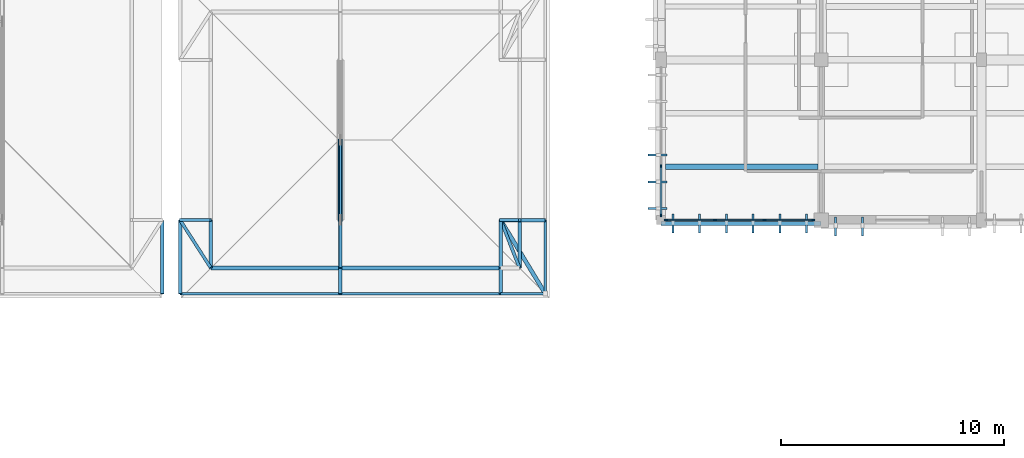
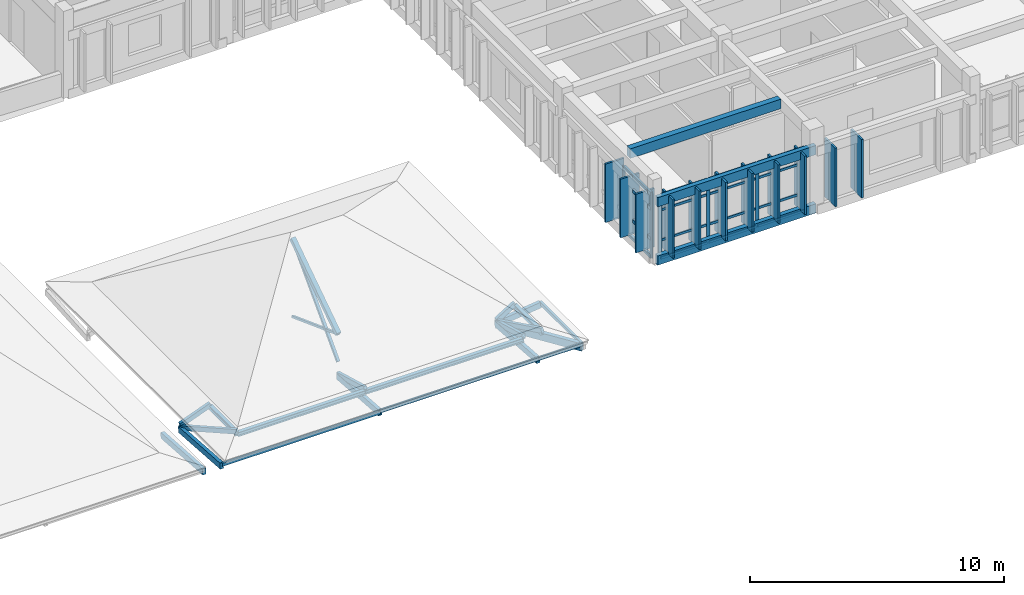
# One storey, part 4 of 51: 56 members, 3 beams, 2 elements without a shape of their own.
"""IFC4 building model written with IfcOpenShell, lengths in metres."""

from ifc_helpers import new_model, si_unit, direction, frame, origin, origin_2d, place, context, subcontext, project, spatial, rectangle, hollow_rectangle, i_section, extrude, material, material_profile, profile_set, type_object, element, aggregate, save


model = new_model("IFC4")

# Units and contexts
model_context = context("Model", 3, precision=1e-05, world=origin(), true_north=direction((0.0, 1.0)))
body_context = subcontext(model_context, "Body", "Model", "MODEL_VIEW")
ifc_project = project(units=[si_unit("LENGTHUNIT", "METRE"), si_unit("AREAUNIT", "SQUARE_METRE"), si_unit("VOLUMEUNIT", "CUBIC_METRE"), si_unit("PLANEANGLEUNIT", "RADIAN"), si_unit("MASSUNIT", "GRAM", prefix="KILO")], contexts=[model_context])

# Site, building, storey
site_placement = place(None, origin())
site = spatial("IfcSite", under=ifc_project, at=site_placement, CompositionType="ELEMENT")
building_placement = place(site_placement, origin())
building = spatial("IfcBuilding", under=site, at=building_placement, Name="Steenspoor Specialist Clinic", CompositionType="ELEMENT")
storey_placement = place(building_placement, frame((0.0, 0.0, 17.39990234375)))
storey = spatial("IfcBuildingStorey", under=building, at=storey_placement, Name="L04", CompositionType="ELEMENT", Elevation=17.39990234375)

# Beams
ifc_material_1 = material(Name="Glulam GL28h", Category="wood")
ifc_material_profile_1 = material_profile(ifc_material_1, rectangle(XDim=0.199951171875, YDim=0.43994140625, at=origin_2d()), Name="GL28H-200X440")
ifc_profile_set_1 = profile_set([ifc_material_profile_1], Name="Glulam GL28h")
beam_type_1 = type_object("IfcBeamType", Name="BM-GL-200X440", PredefinedType="BEAM", material=ifc_profile_set_1)
for number, where, z_axis, x_axis, name in (
    (1, (81.199951171875, 72.199951171875, 0.14013671875), (-1.0, 0.0, 0.0), (0.0, -1.0, 0.0), "Timber Screen Tie Rail V4 L04 15"),
    (2, (81.199951171875, 72.199951171875, 2.9501953125), (-1.0, 0.0, 0.0), (0.0, -1.0, 0.0), "Timber Screen Tie Rail V4 L04 16"),
):
    element("IfcBeam", number, at=place(storey_placement, frame(where, z_axis=z_axis, x_axis=x_axis)), inside=storey, type_object=beam_type_1, Name=name, PredefinedType="BEAM", context=body_context, shape_type="SweptSolid", body=[
        extrude(rectangle(XDim=0.199951171875, YDim=0.43994140625, at=origin_2d()), origin(), (0.0, 0.0, 1.0), 7.199951171875),
    ])

# Curtain wall, members
ifc_material_2 = material(Name="Thermally broken aluminium and low-emissivity glass", Category="aluminium")
curtain_wall_type_1 = type_object("IfcCurtainWallType", Name="CW-L00-660X415", PredefinedType="USERDEFINED", material=ifc_material_2)
curtain_wall_1_placement = place(storey_placement, origin())
curtain_wall_1 = element("IfcCurtainWall", 3, at=curtain_wall_1_placement, inside=storey, type_object=curtain_wall_type_1, Name="Unitised Curtain Wall CW-V4-L04-124", ObjectType="UNITISED GLAZING", PredefinedType="USERDEFINED")
ifc_material_3 = material(Name="Thermally broken aluminium 6063-T6", Category="aluminium")
ifc_material_profile_2 = material_profile(ifc_material_3, rectangle(XDim=0.06005859375, YDim=0.135009765625, at=origin_2d()), Name="CWM-60X135")
ifc_profile_set_2 = profile_set([ifc_material_profile_2], Name="Thermally broken aluminium 6063-T6")
member_type_1 = type_object("IfcMemberType", Name="CW-MULL-60X135", PredefinedType="MULLION", material=ifc_profile_set_2)
member_1_placement = place(storey_placement, frame((74.0, 72.580078125, 0.0), z_axis=(0.0, 0.0, 1.0), x_axis=(-1.0, 0.0, 0.0)))
member_1 = element("IfcMember", 4, at=member_1_placement, type_object=member_type_1, Name="CW-04 mullion 1", PredefinedType="MULLION", context=body_context, shape_type="SweptSolid", body=[
    extrude(rectangle(XDim=0.06005859375, YDim=0.135009765625, at=origin_2d()), origin(), (0.0, 0.0, 1.0), 3.10009765625),
])
member_2_placement = place(storey_placement, frame((74.0, 74.7666015625, 0.0), z_axis=(0.0, 0.0, 1.0), x_axis=(-1.0, 0.0, 0.0)))
member_2 = element("IfcMember", 5, at=member_2_placement, type_object=member_type_1, Name="CW-04 mullion 2", PredefinedType="MULLION", context=body_context, shape_type="SweptSolid", body=[
    extrude(rectangle(XDim=0.06005859375, YDim=0.135009765625, at=origin_2d()), origin(), (0.0, 0.0, 1.0), 3.10009765625),
])

curtain_wall_type_2 = type_object("IfcCurtainWallType", Name="CW-HALL-480X820", PredefinedType="USERDEFINED", material=ifc_material_2)
curtain_wall_2_placement = place(storey_placement, origin())
curtain_wall_2 = element("IfcCurtainWall", 6, at=curtain_wall_2_placement, inside=storey, type_object=curtain_wall_type_2, Name="Unitised Curtain Wall CW-V4-L04-123", ObjectType="UNITISED GLAZING", PredefinedType="USERDEFINED")
ifc_material_profile_3 = material_profile(ifc_material_3, rectangle(XDim=0.06494140625, YDim=0.14990234375, at=origin_2d()), Name="CWM-65X150")
ifc_profile_set_3 = profile_set([ifc_material_profile_3], Name="Thermally broken aluminium 6063-T6")
member_type_2 = type_object("IfcMemberType", Name="CW-MULL-65X150", PredefinedType="MULLION", material=ifc_profile_set_3)
member_3_placement = place(storey_placement, frame((80.842529296875, 72.35009765625, 0.0), z_axis=(0.0, 0.0, 1.0), x_axis=(0.0, -1.0, 0.0)))
member_3 = element("IfcMember", 7, at=member_3_placement, type_object=member_type_2, Name="CW-03 mullion 1", PredefinedType="MULLION", context=body_context, shape_type="SweptSolid", body=[
    extrude(rectangle(XDim=0.06494140625, YDim=0.14990234375, at=origin_2d()), origin(), (0.0, 0.0, 1.0), 3.10009765625),
])
member_4_placement = place(storey_placement, frame((78.64990234375, 72.35009765625, 0.0), z_axis=(0.0, 0.0, 1.0), x_axis=(0.0, -1.0, 0.0)))
member_4 = element("IfcMember", 8, at=member_4_placement, type_object=member_type_2, Name="CW-03 mullion 2", PredefinedType="MULLION", context=body_context, shape_type="SweptSolid", body=[
    extrude(rectangle(XDim=0.06494140625, YDim=0.14990234375, at=origin_2d()), origin(), (0.0, 0.0, 1.0), 3.10009765625),
])
member_5_placement = place(storey_placement, frame((76.425048828125, 72.35009765625, 0.0), z_axis=(0.0, 0.0, 1.0), x_axis=(0.0, -1.0, 0.0)))
member_5 = element("IfcMember", 9, at=member_5_placement, type_object=member_type_2, Name="CW-03 mullion 3", PredefinedType="MULLION", context=body_context, shape_type="SweptSolid", body=[
    extrude(rectangle(XDim=0.06494140625, YDim=0.14990234375, at=origin_2d()), origin(), (0.0, 0.0, 1.0), 3.10009765625),
])
member_6_placement = place(storey_placement, frame((74.232421875, 72.35009765625, 0.0), z_axis=(0.0, 0.0, 1.0), x_axis=(0.0, -1.0, 0.0)))
member_6 = element("IfcMember", 10, at=member_6_placement, type_object=member_type_2, Name="CW-03 mullion 4", PredefinedType="MULLION", context=body_context, shape_type="SweptSolid", body=[
    extrude(rectangle(XDim=0.06494140625, YDim=0.14990234375, at=origin_2d()), origin(), (0.0, 0.0, 1.0), 3.10009765625),
])
ifc_material_profile_4 = material_profile(ifc_material_3, rectangle(XDim=0.06005859375, YDim=0.114990234375, at=origin_2d()), Name="CWT-60X115")
ifc_profile_set_4 = profile_set([ifc_material_profile_4], Name="Thermally broken aluminium 6063-T6")
member_type_3 = type_object("IfcMemberType", Name="CW-TRAN-60X115", PredefinedType="USERDEFINED", material=ifc_profile_set_4)
member_7_placement = place(storey_placement, frame((80.81005859375, 72.35009765625, 0.030029296875), z_axis=(-1.0, 0.0, 0.0), x_axis=(0.0, -1.0, 0.0)))
member_7 = element("IfcMember", 11, at=member_7_placement, type_object=member_type_3, Name="CW-03 transom 1.1", ObjectType="TRANSOM", PredefinedType="USERDEFINED", context=body_context, shape_type="SweptSolid", body=[
    extrude(rectangle(XDim=0.06005859375, YDim=0.114990234375, at=origin_2d()), origin(), (0.0, 0.0, 1.0), 2.12744140625),
])
member_8_placement = place(storey_placement, frame((80.81005859375, 72.35009765625, 0.900146484375), z_axis=(-1.0, 0.0, 0.0), x_axis=(0.0, -1.0, 0.0)))
member_8 = element("IfcMember", 12, at=member_8_placement, type_object=member_type_3, Name="CW-03 transom 1.2", ObjectType="TRANSOM", PredefinedType="USERDEFINED", context=body_context, shape_type="SweptSolid", body=[
    extrude(rectangle(XDim=0.06005859375, YDim=0.114990234375, at=origin_2d()), origin(), (0.0, 0.0, 1.0), 2.12744140625),
])
member_9_placement = place(storey_placement, frame((80.81005859375, 72.35009765625, 2.35009765625), z_axis=(-1.0, 0.0, 0.0), x_axis=(0.0, -1.0, 0.0)))
member_9 = element("IfcMember", 13, at=member_9_placement, type_object=member_type_3, Name="CW-03 transom 1.3", ObjectType="TRANSOM", PredefinedType="USERDEFINED", context=body_context, shape_type="SweptSolid", body=[
    extrude(rectangle(XDim=0.06005859375, YDim=0.114990234375, at=origin_2d()), origin(), (0.0, 0.0, 1.0), 2.12744140625),
])
member_10_placement = place(storey_placement, frame((80.81005859375, 72.35009765625, 3.070068359375), z_axis=(-1.0, 0.0, 0.0), x_axis=(0.0, -1.0, 0.0)))
member_10 = element("IfcMember", 14, at=member_10_placement, type_object=member_type_3, Name="CW-03 transom 1.4", ObjectType="TRANSOM", PredefinedType="USERDEFINED", context=body_context, shape_type="SweptSolid", body=[
    extrude(rectangle(XDim=0.06005859375, YDim=0.114990234375, at=origin_2d()), origin(), (0.0, 0.0, 1.0), 2.12744140625),
])
member_11_placement = place(storey_placement, frame((78.617431640625, 72.35009765625, 0.030029296875), z_axis=(-1.0, 0.0, 0.0), x_axis=(0.0, -1.0, 0.0)))
member_11 = element("IfcMember", 15, at=member_11_placement, type_object=member_type_3, Name="CW-03 transom 2.1", ObjectType="TRANSOM", PredefinedType="USERDEFINED", context=body_context, shape_type="SweptSolid", body=[
    extrude(rectangle(XDim=0.06005859375, YDim=0.114990234375, at=origin_2d()), origin(), (0.0, 0.0, 1.0), 2.159912109375),
])
member_12_placement = place(storey_placement, frame((78.617431640625, 72.35009765625, 0.900146484375), z_axis=(-1.0, 0.0, 0.0), x_axis=(0.0, -1.0, 0.0)))
member_12 = element("IfcMember", 16, at=member_12_placement, type_object=member_type_3, Name="CW-03 transom 2.2", ObjectType="TRANSOM", PredefinedType="USERDEFINED", context=body_context, shape_type="SweptSolid", body=[
    extrude(rectangle(XDim=0.06005859375, YDim=0.114990234375, at=origin_2d()), origin(), (0.0, 0.0, 1.0), 2.159912109375),
])
member_13_placement = place(storey_placement, frame((78.617431640625, 72.35009765625, 2.35009765625), z_axis=(-1.0, 0.0, 0.0), x_axis=(0.0, -1.0, 0.0)))
member_13 = element("IfcMember", 17, at=member_13_placement, type_object=member_type_3, Name="CW-03 transom 2.3", ObjectType="TRANSOM", PredefinedType="USERDEFINED", context=body_context, shape_type="SweptSolid", body=[
    extrude(rectangle(XDim=0.06005859375, YDim=0.114990234375, at=origin_2d()), origin(), (0.0, 0.0, 1.0), 2.159912109375),
])
member_14_placement = place(storey_placement, frame((78.617431640625, 72.35009765625, 3.070068359375), z_axis=(-1.0, 0.0, 0.0), x_axis=(0.0, -1.0, 0.0)))
member_14 = element("IfcMember", 18, at=member_14_placement, type_object=member_type_3, Name="CW-03 transom 2.4", ObjectType="TRANSOM", PredefinedType="USERDEFINED", context=body_context, shape_type="SweptSolid", body=[
    extrude(rectangle(XDim=0.06005859375, YDim=0.114990234375, at=origin_2d()), origin(), (0.0, 0.0, 1.0), 2.159912109375),
])
member_15_placement = place(storey_placement, frame((76.392578125, 72.35009765625, 0.030029296875), z_axis=(-1.0, 0.0, 0.0), x_axis=(0.0, -1.0, 0.0)))
member_15 = element("IfcMember", 19, at=member_15_placement, type_object=member_type_3, Name="CW-03 transom 3.1", ObjectType="TRANSOM", PredefinedType="USERDEFINED", context=body_context, shape_type="SweptSolid", body=[
    extrude(rectangle(XDim=0.06005859375, YDim=0.114990234375, at=origin_2d()), origin(), (0.0, 0.0, 1.0), 2.127685546875),
])
member_16_placement = place(storey_placement, frame((76.392578125, 72.35009765625, 0.900146484375), z_axis=(-1.0, 0.0, 0.0), x_axis=(0.0, -1.0, 0.0)))
member_16 = element("IfcMember", 20, at=member_16_placement, type_object=member_type_3, Name="CW-03 transom 3.2", ObjectType="TRANSOM", PredefinedType="USERDEFINED", context=body_context, shape_type="SweptSolid", body=[
    extrude(rectangle(XDim=0.06005859375, YDim=0.114990234375, at=origin_2d()), origin(), (0.0, 0.0, 1.0), 2.127685546875),
])
member_17_placement = place(storey_placement, frame((76.392578125, 72.35009765625, 2.35009765625), z_axis=(-1.0, 0.0, 0.0), x_axis=(0.0, -1.0, 0.0)))
member_17 = element("IfcMember", 21, at=member_17_placement, type_object=member_type_3, Name="CW-03 transom 3.3", ObjectType="TRANSOM", PredefinedType="USERDEFINED", context=body_context, shape_type="SweptSolid", body=[
    extrude(rectangle(XDim=0.06005859375, YDim=0.114990234375, at=origin_2d()), origin(), (0.0, 0.0, 1.0), 2.127685546875),
])
member_18_placement = place(storey_placement, frame((76.392578125, 72.35009765625, 3.070068359375), z_axis=(-1.0, 0.0, 0.0), x_axis=(0.0, -1.0, 0.0)))
member_18 = element("IfcMember", 22, at=member_18_placement, type_object=member_type_3, Name="CW-03 transom 3.4", ObjectType="TRANSOM", PredefinedType="USERDEFINED", context=body_context, shape_type="SweptSolid", body=[
    extrude(rectangle(XDim=0.06005859375, YDim=0.114990234375, at=origin_2d()), origin(), (0.0, 0.0, 1.0), 2.127685546875),
])
aggregate(curtain_wall_2, [member_3, member_4, member_5, member_6, member_7, member_8, member_9, member_10, member_11, member_12, member_13, member_14, member_15, member_16, member_17, member_18])

# Member
ifc_material_profile_5 = material_profile(ifc_material_3, rectangle(XDim=0.090087890625, YDim=0.175048828125, at=origin_2d()), Name="CWT-90X175")
ifc_profile_set_5 = profile_set([ifc_material_profile_5], Name="Thermally broken aluminium 6063-T6")
member_type_4 = type_object("IfcMemberType", Name="CW-TRAN-90X175", PredefinedType="USERDEFINED", material=ifc_profile_set_5)
member_19_placement = place(storey_placement, frame((74.0, 72.610107421875, 0.045166015625), z_axis=(0.0, 1.0, 0.0), x_axis=(-1.0, 0.0, 0.0)))
member_19 = element("IfcMember", 23, at=member_19_placement, type_object=member_type_4, Name="CW-04 transom 1.1", ObjectType="TRANSOM", PredefinedType="USERDEFINED", context=body_context, shape_type="SweptSolid", body=[
    extrude(rectangle(XDim=0.090087890625, YDim=0.175048828125, at=origin_2d()), origin(), (0.0, 0.0, 1.0), 2.12646484375),
])

member_20_placement = place(storey_placement, frame((74.0, 72.610107421875, 0.900146484375), z_axis=(0.0, 1.0, 0.0), x_axis=(-1.0, 0.0, 0.0)))
member_20 = element("IfcMember", 24, at=member_20_placement, type_object=member_type_4, Name="CW-04 transom 1.2", ObjectType="TRANSOM", PredefinedType="USERDEFINED", context=body_context, shape_type="SweptSolid", body=[
    extrude(rectangle(XDim=0.090087890625, YDim=0.175048828125, at=origin_2d()), origin(), (0.0, 0.0, 1.0), 2.12646484375),
])

member_21_placement = place(storey_placement, frame((74.0, 72.610107421875, 2.35009765625), z_axis=(0.0, 1.0, 0.0), x_axis=(-1.0, 0.0, 0.0)))
member_21 = element("IfcMember", 25, at=member_21_placement, type_object=member_type_4, Name="CW-04 transom 1.3", ObjectType="TRANSOM", PredefinedType="USERDEFINED", context=body_context, shape_type="SweptSolid", body=[
    extrude(rectangle(XDim=0.090087890625, YDim=0.175048828125, at=origin_2d()), origin(), (0.0, 0.0, 1.0), 2.12646484375),
])

member_22_placement = place(storey_placement, frame((74.0, 72.610107421875, 3.05517578125), z_axis=(0.0, 1.0, 0.0), x_axis=(-1.0, 0.0, 0.0)))
member_22 = element("IfcMember", 26, at=member_22_placement, type_object=member_type_4, Name="CW-04 transom 1.4", ObjectType="TRANSOM", PredefinedType="USERDEFINED", context=body_context, shape_type="SweptSolid", body=[
    extrude(rectangle(XDim=0.090087890625, YDim=0.175048828125, at=origin_2d()), origin(), (0.0, 0.0, 1.0), 2.12646484375),
])

aggregate(curtain_wall_1, [member_1, member_2, member_19, member_20, member_21, member_22])

# Beam
ifc_material_4 = material(Name="Concrete C35/45", Category="concrete")
ifc_material_profile_6 = material_profile(ifc_material_4, rectangle(XDim=0.260009765625, YDim=0.4599609375, at=origin_2d()), Name="RC-JT-260X460")
ifc_profile_set_6 = profile_set([ifc_material_profile_6], Name="Concrete C35/45")
beam_type_2 = type_object("IfcBeamType", Name="JT-RC-260X460", PredefinedType="JOIST", material=ifc_profile_set_6)
beam_placement = place(storey_placement, frame((74.195068359375, 74.75, 3.690185546875), z_axis=(1.0, 0.0, 0.0), x_axis=(0.0, 1.0, 0.0)))
element("IfcBeam", 27, at=beam_placement, inside=storey, type_object=beam_type_2, Name="JT-V4-L04-0972", PredefinedType="JOIST", context=body_context, shape_type="SweptSolid", body=[
    extrude(rectangle(XDim=0.260009765625, YDim=0.4599609375, at=origin_2d()), origin(), (0.0, 0.0, 1.0), 6.85986328125),
])

# Members
ifc_material_5 = material(Name="Steel A500 Grade C", Category="steel")
ifc_material_profile_7 = material_profile(ifc_material_5, hollow_rectangle(XDim=0.126953125, YDim=0.126953125, WallThickness=0.0087890625, at=origin_2d()), Name="HSS127X127X9.5")
ifc_profile_set_7 = profile_set([ifc_material_profile_7], Name="Steel A500 Grade C")
member_type_5 = type_object("IfcMemberType", Name="MEM-BRACE-H127A", PredefinedType="BRACE", material=ifc_profile_set_7)
member_23_placement = place(storey_placement, frame((59.60009765625, 72.35009765625, 0.174072265625), z_axis=(0.0, 0.691930843243, 0.721963785913), x_axis=(-1.0, 0.0, 0.0)))
element("IfcMember", 28, at=member_23_placement, inside=storey, type_object=member_type_5, Name="ROOF TRUSS Web Brace V4T2W 2.1", PredefinedType="BRACE", context=body_context, shape_type="SweptSolid", body=[
    extrude(hollow_rectangle(XDim=0.126953125, YDim=0.126953125, WallThickness=0.0087890625, at=origin_2d()), origin(), (0.0, 0.0, 1.0), 5.20263671875),
])
ifc_material_profile_8 = material_profile(ifc_material_5, hollow_rectangle(XDim=0.203125, YDim=0.203125, WallThickness=0.01171875, at=origin_2d()), Name="HSS203X203X12.7")
ifc_profile_set_8 = profile_set([ifc_material_profile_8], Name="Steel A500 Grade C")
member_type_6 = type_object("IfcMemberType", Name="MEM-CHORD-H203", PredefinedType="CHORD", material=ifc_profile_set_8)
member_24_placement = place(storey_placement, frame((59.60009765625, 72.35009765625, 1.51123046875), z_axis=(0.0, 0.830018247559, 0.557736235796), x_axis=(-1.0, 0.0, 0.0)))
element("IfcMember", 29, at=member_24_placement, inside=storey, type_object=member_type_6, Name="ROOF TRUSS Top Chord V4T2W 2.1", PredefinedType="CHORD", context=body_context, shape_type="SweptSolid", body=[
    extrude(hollow_rectangle(XDim=0.203125, YDim=0.203125, WallThickness=0.01171875, at=origin_2d()), origin(), (0.0, 0.0, 1.0), 4.337158203125),
])
ifc_material_profile_9 = material_profile(ifc_material_5, hollow_rectangle(XDim=0.1015625, YDim=0.15234375, WallThickness=0.005859375, at=origin_2d()), Name="HSS152X102X6.4")
ifc_profile_set_9 = profile_set([ifc_material_profile_9], Name="Steel A500 Grade C")
member_type_7 = type_object("IfcMemberType", Name="MEM-PURLIN-H152", PredefinedType="PURLIN", material=ifc_profile_set_9)
member_25_placement = place(storey_placement, frame((52.39990234375, 69.050048828125, -0.2431640625), z_axis=(1.0, 0.0, 0.0), x_axis=(0.0, 1.0, 0.0)))
element("IfcMember", 30, at=member_25_placement, inside=storey, type_object=member_type_7, Name="ROOF TRUSS Eave Fascia 233", PredefinedType="PURLIN", context=body_context, shape_type="SweptSolid", body=[
    extrude(hollow_rectangle(XDim=0.1015625, YDim=0.15234375, WallThickness=0.005859375, at=origin_2d()), origin(), (0.0, 0.0, 1.0), 7.2001953125),
])
member_26_placement = place(storey_placement, frame((59.60009765625, 69.050048828125, -0.19482421875), z_axis=(1.0, 0.0, 0.0), x_axis=(0.0, 1.0, 0.0)))
element("IfcMember", 31, at=member_26_placement, inside=storey, type_object=member_type_7, Name="ROOF TRUSS Eave Fascia 234", PredefinedType="PURLIN", context=body_context, shape_type="SweptSolid", body=[
    extrude(hollow_rectangle(XDim=0.1015625, YDim=0.15234375, WallThickness=0.005859375, at=origin_2d()), origin(), (0.0, 0.0, 1.0), 7.199951171875),
])
member_27_placement = place(storey_placement, frame((66.800048828125, 69.050048828125, -0.19482421875), z_axis=(1.0, 0.0, 0.0), x_axis=(0.0, 1.0, 0.0)))
element("IfcMember", 32, at=member_27_placement, inside=storey, type_object=member_type_7, Name="ROOF TRUSS Eave Fascia 235", PredefinedType="PURLIN", context=body_context, shape_type="SweptSolid", body=[
    extrude(hollow_rectangle(XDim=0.1015625, YDim=0.15234375, WallThickness=0.005859375, at=origin_2d()), origin(), (0.0, 0.0, 1.0), 2.0),
])
member_28_placement = place(storey_placement, frame((68.800048828125, 69.050048828125, -0.19482421875), z_axis=(0.0, 1.0, 0.0), x_axis=(-1.0, 0.0, 0.0)))
element("IfcMember", 33, at=member_28_placement, inside=storey, type_object=member_type_7, Name="ROOF TRUSS Eave Fascia 239", PredefinedType="PURLIN", context=body_context, shape_type="SweptSolid", body=[
    extrude(hollow_rectangle(XDim=0.1015625, YDim=0.15234375, WallThickness=0.005859375, at=origin_2d()), origin(), (0.0, 0.0, 1.0), 3.300048828125),
])
ifc_material_6 = material(Name="Steel A992 Grade 50", Category="steel")
ifc_material_profile_10 = material_profile(ifc_material_6, i_section(OverallWidth=0.1650390625, OverallDepth=0.200927734375, WebThickness=0.006103515625, FlangeThickness=0.01025390625, at=origin_2d()), Name="W200X36")
ifc_profile_set_10 = profile_set([ifc_material_profile_10], Name="Steel A992 Grade 50")
member_type_8 = type_object("IfcMemberType", Name="MEM-PURLIN-W200", PredefinedType="PURLIN", material=ifc_profile_set_10)
member_29_placement = place(storey_placement, frame((53.780029296875, 70.199951171875, 0.052490234375), z_axis=(1.0, 0.0, 0.0), x_axis=(0.0, 1.0, 0.0)))
element("IfcMember", 34, at=member_29_placement, inside=storey, type_object=member_type_8, Name="ROOF TRUSS Knuckle Purlin 242", PredefinedType="PURLIN", context=body_context, shape_type="SweptSolid", body=[
    extrude(i_section(OverallWidth=0.1650390625, OverallDepth=0.200927734375, WebThickness=0.006103515625, FlangeThickness=0.01025390625, at=origin_2d()), origin(), (0.0, 0.0, 1.0), 5.820068359375),
])
member_30_placement = place(storey_placement, frame((59.60009765625, 70.199951171875, 0.052490234375), z_axis=(1.0, 0.0, 0.0), x_axis=(0.0, 1.0, 0.0)))
element("IfcMember", 35, at=member_30_placement, inside=storey, type_object=member_type_8, Name="ROOF TRUSS Knuckle Purlin 244", PredefinedType="PURLIN", context=body_context, shape_type="SweptSolid", body=[
    extrude(i_section(OverallWidth=0.1650390625, OverallDepth=0.200927734375, WebThickness=0.006103515625, FlangeThickness=0.01025390625, at=origin_2d()), origin(), (0.0, 0.0, 1.0), 7.199951171875),
])
for number, where, z_axis, x_axis, name in (
    (36, (53.780029296875, 70.199951171875, 0.052490234375), (0.0, 1.0, 0.0), (-1.0, 0.0, 0.0), "ROOF TRUSS Knuckle Purlin 248"),
    (37, (67.64990234375, 70.199951171875, 0.052490234375), (0.0, 1.0, 0.0), (-1.0, 0.0, 0.0), "ROOF TRUSS Knuckle Purlin 251"),
):
    element("IfcMember", number, at=place(storey_placement, frame(where, z_axis=z_axis, x_axis=x_axis)), inside=storey, type_object=member_type_8, Name=name, PredefinedType="PURLIN", context=body_context, shape_type="SweptSolid", body=[
        extrude(i_section(OverallWidth=0.1650390625, OverallDepth=0.200927734375, WebThickness=0.006103515625, FlangeThickness=0.01025390625, at=origin_2d()), origin(), (0.0, 0.0, 1.0), 2.150146484375),
    ])
ifc_material_profile_11 = material_profile(ifc_material_1, rectangle(XDim=0.139892578125, YDim=0.219970703125, at=origin_2d()), Name="GL28H-140X220")
ifc_profile_set_11 = profile_set([ifc_material_profile_11], Name="Glulam GL28h")
member_type_9 = type_object("IfcMemberType", Name="MEM-RAFTER-GL220", PredefinedType="RAFTER", material=ifc_profile_set_11)
for number, where, z_axis, x_axis, name in (
    (38, (59.60009765625, 72.35009765625, -0.42041015625), (0.0, -0.963528880658, 0.267604364947), (1.0, 0.0, 0.0), "ROOF TRUSS Knuckle Rafter V4T2W 138"),
    (39, (66.800048828125, 72.35009765625, -0.42041015625), (0.0, -0.963528880658, 0.267604364947), (1.0, 0.0, 0.0), "ROOF TRUSS Knuckle Rafter V4T2W 142"),
):
    element("IfcMember", number, at=place(storey_placement, frame(where, z_axis=z_axis, x_axis=x_axis)), inside=storey, type_object=member_type_9, Name=name, PredefinedType="RAFTER", context=body_context, shape_type="SweptSolid", body=[
        extrude(rectangle(XDim=0.139892578125, YDim=0.219970703125, at=origin_2d()), origin(), (0.0, 0.0, 1.0), 2.2314453125),
    ])
member_31_placement = place(storey_placement, frame((52.39990234375, 72.35009765625, -0.347412109375), z_axis=(0.934846165702, 0.0, 0.35505301924), x_axis=(0.0, 1.0, 0.0)))
element("IfcMember", 40, at=member_31_placement, inside=storey, type_object=member_type_9, Name="ROOF TRUSS Knuckle Rafter V4T2W 145", PredefinedType="RAFTER", context=body_context, shape_type="SweptSolid", body=[
    extrude(rectangle(XDim=0.139892578125, YDim=0.219970703125, at=origin_2d()), origin(), (0.0, 0.0, 1.0), 1.476318359375),
])
member_32_placement = place(storey_placement, frame((66.800048828125, 72.35009765625, -0.347412109375), z_axis=(0.851128992295, 0.0, 0.524956606279), x_axis=(0.0, 1.0, 0.0)))
element("IfcMember", 41, at=member_32_placement, inside=storey, type_object=member_type_9, Name="ROOF TRUSS Knuckle Rafter V4T2W 148", PredefinedType="RAFTER", context=body_context, shape_type="SweptSolid", body=[
    extrude(rectangle(XDim=0.139892578125, YDim=0.219970703125, at=origin_2d()), origin(), (0.0, 0.0, 1.0), 0.99853515625),
])
member_33_placement = place(storey_placement, frame((52.39990234375, 72.35009765625, -0.45849609375), z_axis=(0.524212876376, -0.816688979699, 0.241288148652), x_axis=(0.841553938551, 0.540173091249, 0.0)))
element("IfcMember", 42, at=member_33_placement, inside=storey, type_object=member_type_9, Name="ROOF TRUSS Corner Knuckle Rafter V4T2W 151", PredefinedType="RAFTER", context=body_context, shape_type="SweptSolid", body=[
    extrude(rectangle(XDim=0.139892578125, YDim=0.219970703125, at=origin_2d()), origin(), (0.0, 0.0, 1.0), 2.6328125),
])
member_34_placement = place(storey_placement, frame((66.800048828125, 72.35009765625, -0.409912109375), z_axis=(0.356290825234, -0.901422952552, 0.245954281252), x_axis=(0.929990943989, 0.367582431705, 0.0)))
element("IfcMember", 43, at=member_34_placement, inside=storey, type_object=member_type_9, Name="ROOF TRUSS Corner Knuckle Rafter V4T2W 154", PredefinedType="RAFTER", context=body_context, shape_type="SweptSolid", body=[
    extrude(rectangle(XDim=0.139892578125, YDim=0.219970703125, at=origin_2d()), origin(), (0.0, 0.0, 1.0), 2.38525390625),
])
ifc_material_profile_12 = material_profile(ifc_material_1, rectangle(XDim=0.159912109375, YDim=0.280029296875, at=origin_2d()), Name="GL28H-160X280")
ifc_profile_set_12 = profile_set([ifc_material_profile_12], Name="Glulam GL28h")
member_type_10 = type_object("IfcMemberType", Name="MEM-RAFTER-GL280", PredefinedType="RAFTER", material=ifc_profile_set_12)
for number, where, z_axis, x_axis, name in (
    (44, (52.39990234375, 72.35009765625, -0.5400390625), (0.0, -0.997513468668, 0.070476093999), (1.0, 0.0, 0.0), "ROOF TRUSS Flared Eave Glulam Outrigger V4T2W 135"),
    (45, (59.60009765625, 72.35009765625, -0.5), (0.0, -0.997513468668, 0.070476093999), (1.0, 0.0, 0.0), "ROOF TRUSS Flared Eave Glulam Outrigger V4T2W 137"),
    (46, (66.800048828125, 72.35009765625, -0.5), (0.0, -0.997513468668, 0.070476093999), (1.0, 0.0, 0.0), "ROOF TRUSS Flared Eave Glulam Outrigger V4T2W 141"),
):
    element("IfcMember", number, at=place(storey_placement, frame(where, z_axis=z_axis, x_axis=x_axis)), inside=storey, type_object=member_type_10, Name=name, PredefinedType="RAFTER", context=body_context, shape_type="SweptSolid", body=[
        extrude(rectangle(XDim=0.159912109375, YDim=0.280029296875, at=origin_2d()), origin(), (0.0, 0.0, 1.0), 3.308349609375),
    ])
member_35_placement = place(storey_placement, frame((66.800048828125, 72.35009765625, -0.5), z_axis=(0.993273369456, 0.0, 0.11579297703), x_axis=(0.0, 1.0, 0.0)))
element("IfcMember", 47, at=member_35_placement, inside=storey, type_object=member_type_10, Name="ROOF TRUSS Flared Eave Glulam Outrigger V4T2W 147", PredefinedType="RAFTER", context=body_context, shape_type="SweptSolid", body=[
    extrude(rectangle(XDim=0.159912109375, YDim=0.280029296875, at=origin_2d()), origin(), (0.0, 0.0, 1.0), 2.013427734375),
])
member_36_placement = place(storey_placement, frame((51.60009765625, 72.35009765625, -0.5400390625), z_axis=(0.0, -0.997513468668, 0.070476093999), x_axis=(1.0, 0.0, 0.0)))
element("IfcMember", 48, at=member_36_placement, inside=storey, type_object=member_type_10, Name="ROOF TRUSS Flared Eave Glulam Outrigger V5 282", PredefinedType="RAFTER", context=body_context, shape_type="SweptSolid", body=[
    extrude(rectangle(XDim=0.159912109375, YDim=0.280029296875, at=origin_2d()), origin(), (0.0, 0.0, 1.0), 3.308349609375),
])
ifc_material_profile_13 = material_profile(ifc_material_1, rectangle(XDim=0.179931640625, YDim=0.360107421875, at=origin_2d()), Name="GL28H-180X360")
ifc_profile_set_13 = profile_set([ifc_material_profile_13], Name="Glulam GL28h")
member_type_11 = type_object("IfcMemberType", Name="MEM-RAFTER-GL360", PredefinedType="RAFTER", material=ifc_profile_set_13)
member_37_placement = place(storey_placement, frame((66.800048828125, 72.35009765625, -0.5), z_axis=(0.517656424832, -0.854145739069, 0.049667718496), x_axis=(0.855201230787, 0.518296107317, 0.0)))
element("IfcMember", 49, at=member_37_placement, inside=storey, type_object=member_type_11, Name="ROOF TRUSS Corner Hip Outrigger V4T2W 153", PredefinedType="RAFTER", context=body_context, shape_type="SweptSolid", body=[
    extrude(rectangle(XDim=0.179931640625, YDim=0.360107421875, at=origin_2d()), origin(), (0.0, 0.0, 1.0), 3.863525390625),
])
ifc_material_profile_14 = material_profile(ifc_material_1, rectangle(XDim=0.090087890625, YDim=0.85009765625, at=origin_2d()), Name="GL28H-90X850")
ifc_profile_set_14 = profile_set([ifc_material_profile_14], Name="Glulam GL28h")
member_type_12 = type_object("IfcMemberType", Name="MEM-SCREEN-GL850", PredefinedType="STRUT", material=ifc_profile_set_14)
for number, where, z_axis, x_axis, name in (
    (50, (83.050048828125, 72.070068359375, 0.27001953125), (0.0, 0.0, 1.0), (-1.0, 0.0, 0.0), "Glulam Timber Screen Fin SCR-FIN-V4-L04-0013"),
    (51, (81.85009765625, 72.070068359375, 0.27001953125), (0.0, 0.0, 1.0), (-1.0, 0.0, 0.0), "Glulam Timber Screen Fin SCR-FIN-V4-L04-0014"),
    (52, (80.53759765625, 72.199951171875, 0.27001953125), (0.0, 0.0, 1.0), (-1.0, 0.0, 0.0), "Glulam Timber Screen Fin SCR-FIN-V4-L04-0017"),
    (53, (79.33740234375, 72.199951171875, 0.27001953125), (0.0, 0.0, 1.0), (-1.0, 0.0, 0.0), "Glulam Timber Screen Fin SCR-FIN-V4-L04-0018"),
    (54, (78.137451171875, 72.199951171875, 0.27001953125), (0.0, 0.0, 1.0), (-1.0, 0.0, 0.0), "Glulam Timber Screen Fin SCR-FIN-V4-L04-0019"),
    (55, (76.9375, 72.199951171875, 0.27001953125), (0.0, 0.0, 1.0), (-1.0, 0.0, 0.0), "Glulam Timber Screen Fin SCR-FIN-V4-L04-0020"),
    (56, (75.737548828125, 72.199951171875, 0.27001953125), (0.0, 0.0, 1.0), (-1.0, 0.0, 0.0), "Glulam Timber Screen Fin SCR-FIN-V4-L04-0021"),
    (57, (74.53759765625, 72.199951171875, 0.27001953125), (0.0, 0.0, 1.0), (-1.0, 0.0, 0.0), "Glulam Timber Screen Fin SCR-FIN-V4-L04-0022"),
    (58, (73.85009765625, 72.875, 0.27001953125), (0.0, 0.0, 1.0), (0.0, 1.0, 0.0), "Glulam Timber Screen Fin SCR-FIN-V4-L04-0025"),
    (59, (73.85009765625, 74.074951171875, 0.27001953125), (0.0, 0.0, 1.0), (0.0, 1.0, 0.0), "Glulam Timber Screen Fin SCR-FIN-V4-L04-0026"),
    (60, (73.85009765625, 75.27490234375, 0.27001953125), (0.0, 0.0, 1.0), (0.0, 1.0, 0.0), "Glulam Timber Screen Fin SCR-FIN-V4-L04-0027"),
):
    element("IfcMember", number, at=place(storey_placement, frame(where, z_axis=z_axis, x_axis=x_axis)), inside=storey, type_object=member_type_12, Name=name, PredefinedType="STRUT", context=body_context, shape_type="SweptSolid", body=[
        extrude(rectangle(XDim=0.090087890625, YDim=0.85009765625, at=origin_2d()), origin(), (0.0, 0.0, 1.0), 2.820068359375),
    ])
ifc_material_profile_15 = material_profile(ifc_material_5, hollow_rectangle(XDim=0.1015625, YDim=0.1015625, WallThickness=0.005859375, at=origin_2d()), Name="HSS102X102X6.4")
ifc_profile_set_15 = profile_set([ifc_material_profile_15], Name="Steel A500 Grade C")
member_type_13 = type_object("IfcMemberType", Name="MEM-STRUT-H102", PredefinedType="STRUT", material=ifc_profile_set_15)
member_38_placement = place(storey_placement, frame((59.60009765625, 72.35009765625, 1.51123046875), z_axis=(0.0, 0.937419343034, -0.348202491814), x_axis=(-1.0, 0.0, 0.0)))
element("IfcMember", 61, at=member_38_placement, inside=storey, type_object=member_type_13, Name="ROOF TRUSS Web Strut V4T2W 2.1", PredefinedType="STRUT", context=body_context, shape_type="SweptSolid", body=[
    extrude(hollow_rectangle(XDim=0.1015625, YDim=0.1015625, WallThickness=0.005859375, at=origin_2d()), origin(), (0.0, 0.0, 1.0), 3.840087890625),
])

save(model, "model.ifc")
